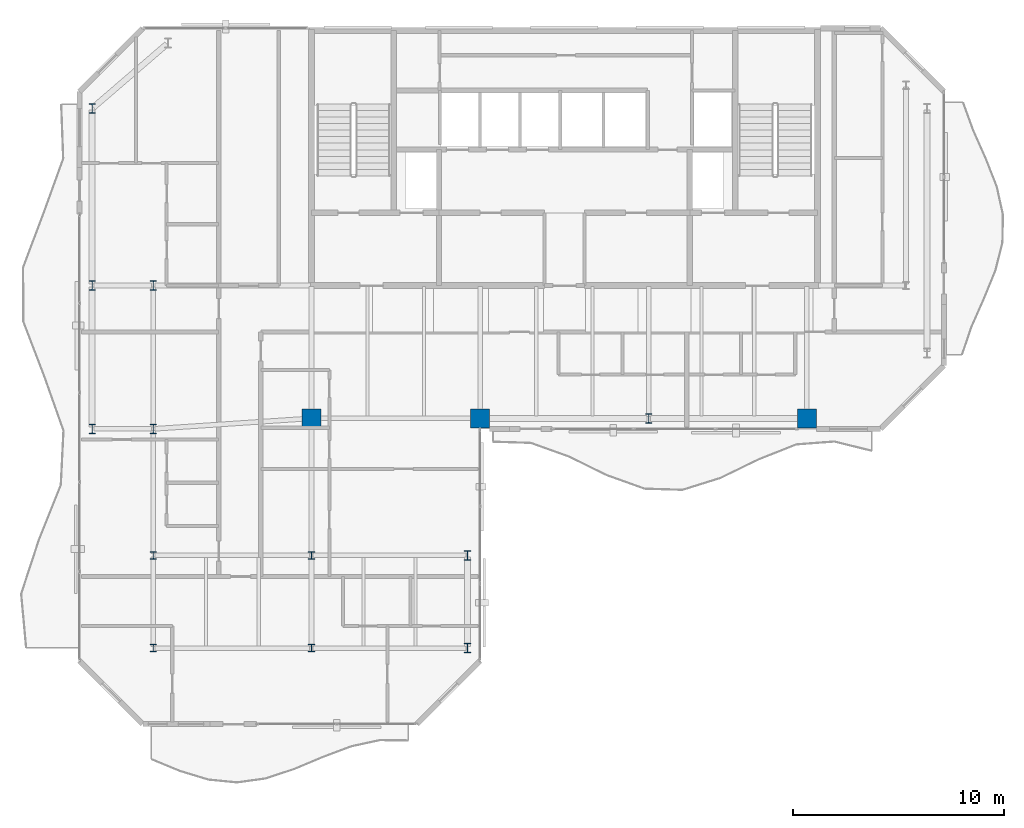
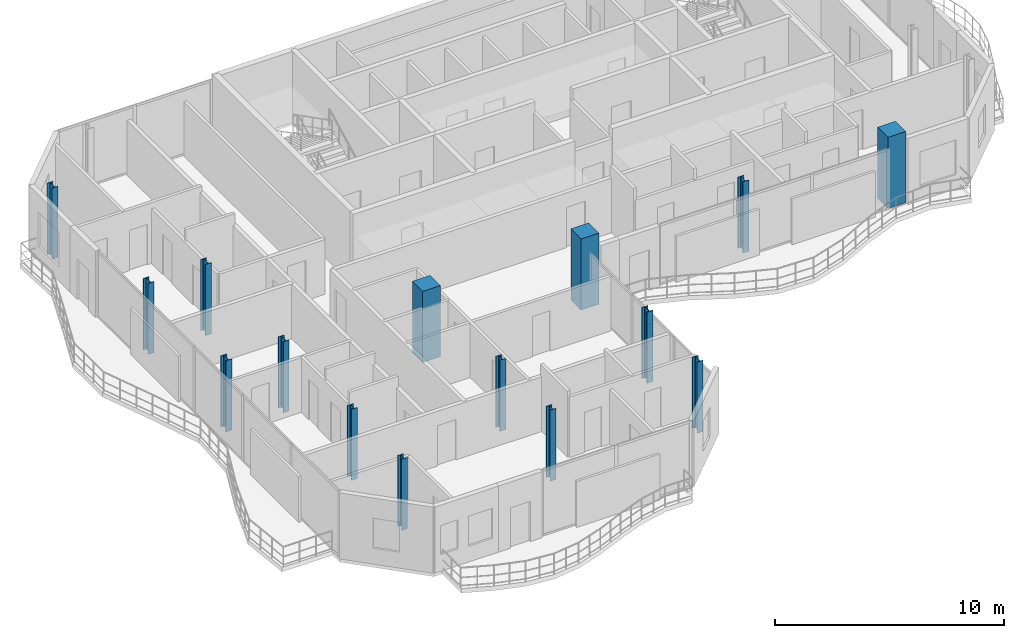
# One storey, part 1 of 22: 15 columns.
"""IFC4 building model written with IfcOpenShell, lengths in metres."""

from ifc_helpers import new_model, si_unit, direction, frame, origin, origin_2d, place, context, subcontext, project, spatial, rectangle, i_section, extrude, material, material_profile, profile_set, type_object, element, save


model = new_model("IFC4")

# Units and contexts
model_context = context("Model", 3, precision=1e-05, world=origin(), true_north=direction((0.0, 1.0)))
body_context = subcontext(model_context, "Body", "Model", "MODEL_VIEW")
ifc_project = project(units=[si_unit("LENGTHUNIT", "METRE"), si_unit("AREAUNIT", "SQUARE_METRE"), si_unit("VOLUMEUNIT", "CUBIC_METRE"), si_unit("PLANEANGLEUNIT", "RADIAN"), si_unit("MASSUNIT", "GRAM", prefix="KILO")], contexts=[model_context])

# Site, building, storey
site_placement = place(None, origin())
site = spatial("IfcSite", under=ifc_project, at=site_placement, CompositionType="ELEMENT")
building_placement = place(site_placement, origin())
building = spatial("IfcBuilding", under=site, at=building_placement, Name="Catumbela Crestline Tower", CompositionType="ELEMENT")
storey_placement = place(building_placement, frame((0.0, 0.0, 226.0)))
storey = spatial("IfcBuildingStorey", under=building, at=storey_placement, Name="L58", CompositionType="ELEMENT", Elevation=226.0)

# Columns
ifc_material_1 = material(Name="Concrete C45/55", Category="concrete")
ifc_material_profile_1 = material_profile(ifc_material_1, rectangle(XDim=0.9, YDim=0.9, at=origin_2d()), Name="RC 900x900")
ifc_profile_set_1 = profile_set([ifc_material_profile_1], Name="Concrete C45/55")
column_type_1 = type_object("IfcColumnType", Name="C-RC900-C45", PredefinedType="COLUMN", material=ifc_profile_set_1)
for number, where, z_axis, x_axis, name in (
    (1, (16.0, 24.5, 0.0), (0.0, 0.0, 1.0), (1.0, 0.0, 0.0), "L58 Column C-16-24 (RC 900x900)"),
    (2, (24.0, 24.5, 0.0), (0.0, 0.0, 1.0), (1.0, 0.0, 0.0), "L58 Column C-24-24 (RC 900x900)"),
    (3, (39.5, 24.5, 0.0), (0.0, 0.0, 1.0), (1.0, 0.0, 0.0), "L58 Column C-40-24 (RC 900x900)"),
):
    element("IfcColumn", number, at=place(storey_placement, frame(where, z_axis=z_axis, x_axis=x_axis)), inside=storey, type_object=column_type_1, Name=name, PredefinedType="COLUMN", context=body_context, shape_type="SweptSolid", body=[
        extrude(rectangle(XDim=0.9, YDim=0.9, at=origin_2d()), origin(), (0.0, 0.0, 1.0), 3.8),
    ])
ifc_material_2 = material(Name="Structural steel S355J2", Category="steel")
ifc_material_profile_2 = material_profile(ifc_material_2, i_section(OverallWidth=0.3, OverallDepth=0.36, WebThickness=0.0125, FlangeThickness=0.0225, FilletRadius=0.027, at=origin_2d()), Name="HEB 360")
ifc_profile_set_2 = profile_set([ifc_material_profile_2], Name="Structural steel S355J2")
column_type_2 = type_object("IfcColumnType", Name="C-ST-HEB360", PredefinedType="COLUMN", material=ifc_profile_set_2)
for number, where, z_axis, x_axis, name in (
    (4, (8.5, 13.6, 0.0), (0.0, 0.0, 1.0), (1.0, 0.0, 0.0), "L58 Column CT-05-10 (HEB 360)"),
    (5, (16.0, 13.6, 0.0), (0.0, 0.0, 1.0), (1.0, 0.0, 0.0), "L58 Column CT-14-10 (HEB 360)"),
    (6, (8.5, 18.0, 0.0), (0.0, 0.0, 1.0), (1.0, 0.0, 0.0), "L58 Column CT-05-16 (HEB 360)"),
    (7, (16.0, 18.0, 0.0), (0.0, 0.0, 1.0), (1.0, 0.0, 0.0), "L58 Column CT-14-16 (HEB 360)"),
):
    element("IfcColumn", number, at=place(storey_placement, frame(where, z_axis=z_axis, x_axis=x_axis)), inside=storey, type_object=column_type_2, Name=name, PredefinedType="COLUMN", context=body_context, shape_type="SweptSolid", body=[
        extrude(i_section(OverallWidth=0.3, OverallDepth=0.36, WebThickness=0.0125, FlangeThickness=0.0225, FilletRadius=0.027, at=origin_2d()), origin(), (0.0, 0.0, 1.0), 3.8),
    ])
ifc_material_profile_3 = material_profile(ifc_material_2, i_section(OverallWidth=0.3, OverallDepth=0.45, WebThickness=0.014, FlangeThickness=0.026, FilletRadius=0.027, at=origin_2d()), Name="HEB 450")
ifc_profile_set_3 = profile_set([ifc_material_profile_3], Name="Structural steel S355J2")
column_type_3 = type_object("IfcColumnType", Name="C-ST-HEB450", PredefinedType="COLUMN", material=ifc_profile_set_3)
for number, where, z_axis, x_axis, name in (
    (8, (8.5, 24.0, 0.0), (0.0, 0.0, 1.0), (1.0, 0.0, 0.0), "L58 Column C-08-24 (HEB 450)"),
    (9, (32.0, 24.5, 0.0), (0.0, 0.0, 1.0), (1.0, 0.0, 0.0), "L58 Column C-32-24 (HEB 450)"),
    (10, (5.6, 24.0, 0.0), (0.0, 0.0, 1.0), (1.0, 0.0, 0.0), "L58 Column C-05-24 (HEB 450)"),
    (11, (5.6, 30.8, 0.0), (0.0, 0.0, 1.0), (1.0, 0.0, 0.0), "L58 Column C-05-31 (HEB 450)"),
    (12, (5.6, 39.2, 0.0), (0.0, 0.0, 1.0), (1.0, 0.0, 0.0), "L58 Column C-05-43 (HEB 450)"),
    (13, (8.5, 30.8, 0.0), (0.0, 0.0, 1.0), (1.0, 0.0, 0.0), "L58 Column C-08-31 (HEB 450)"),
    (14, (23.4, 13.6, 0.0), (0.0, 0.0, 1.0), (1.0, 0.0, 0.0), "L58 Column C-24-10 (HEB 450)"),
    (15, (23.4, 18.0, 0.0), (0.0, 0.0, 1.0), (1.0, 0.0, 0.0), "L58 Column C-24-16 (HEB 450)"),
):
    element("IfcColumn", number, at=place(storey_placement, frame(where, z_axis=z_axis, x_axis=x_axis)), inside=storey, type_object=column_type_3, Name=name, PredefinedType="COLUMN", context=body_context, shape_type="SweptSolid", body=[
        extrude(i_section(OverallWidth=0.3, OverallDepth=0.45, WebThickness=0.014, FlangeThickness=0.026, FilletRadius=0.027, at=origin_2d()), origin(), (0.0, 0.0, 1.0), 3.8),
    ])

save(model, "model.ifc")
